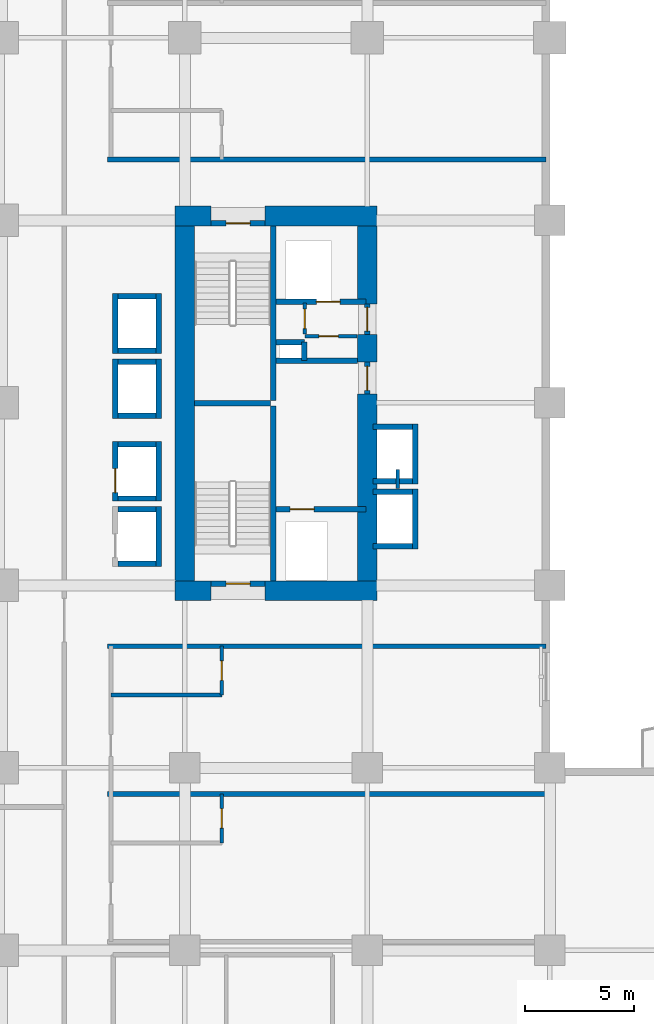
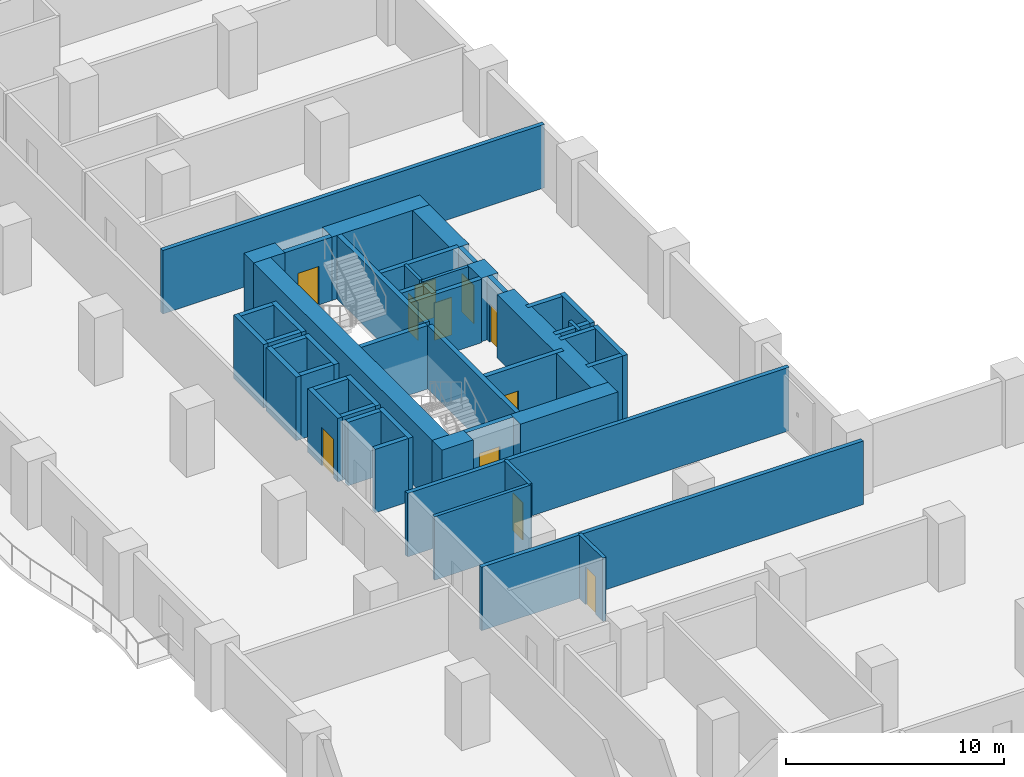
# One storey, part 9 of 20: 50 walls, 11 doors, 11 openings.
"""IFC4 building model written with IfcOpenShell, lengths in metres."""

from ifc_helpers import new_model, si_unit, direction, frame, frame_2d, origin, place, context, subcontext, project, spatial, rectangle, extrude, material, layer, layer_set, type_object, element, fill, save


model = new_model("IFC4")

# Units and contexts
model_context = context("Model", 3, precision=1e-05, world=origin(), true_north=direction((0.0, 1.0)))
body_context = subcontext(model_context, "Body", "Model", "MODEL_VIEW")
ifc_project = project(units=[si_unit("LENGTHUNIT", "METRE"), si_unit("AREAUNIT", "SQUARE_METRE"), si_unit("VOLUMEUNIT", "CUBIC_METRE"), si_unit("PLANEANGLEUNIT", "RADIAN"), si_unit("MASSUNIT", "GRAM", prefix="KILO")], contexts=[model_context])

# Site, building, storey
site_placement = place(None, origin())
site = spatial("IfcSite", under=ifc_project, at=site_placement, CompositionType="ELEMENT")
building_placement = place(site_placement, origin())
building = spatial("IfcBuilding", under=site, at=building_placement, Name="Koriwani Terraces Tower", CompositionType="ELEMENT")
storey_placement = place(building_placement, frame((0.0, 0.0, 58.60009765625)))
storey = spatial("IfcBuildingStorey", under=building, at=storey_placement, Name="L13", CompositionType="ELEMENT", Elevation=58.60009765625)

# Walls
ifc_material_1 = material(Name="Concrete C60/75", Category="concrete")
ifc_layer_1 = layer(ifc_material_1, 0.89990234375, Name="Concrete C60/75")
ifc_layer_set_1 = layer_set([ifc_layer_1], Name="Concrete C60/75")
wall_type_1 = type_object("IfcWallType", Name="WALL_CORE_RC_900", PredefinedType="SHEAR", material=ifc_layer_set_1)
wall_1_placement = place(storey_placement, frame((16.35009765625, 41.75, 0.0), z_axis=(0.0, 0.0, 1.0), x_axis=(1.0, 0.0, 0.0)))
element("IfcWall", 1, at=wall_1_placement, inside=storey, type_object=wall_type_1, Name="L13 West Split Core Shear Wall S1", PredefinedType="SHEAR", context=body_context, shape_type="SweptSolid", body=[
    extrude(rectangle(XDim=1.64990234375, YDim=0.89990234375, at=frame_2d((0.824951171875, 0.0))), origin(), (0.0, 0.0, 1.0), 3.5498046875),
])
wall_2_placement = place(storey_placement, frame((20.5, 41.75, 0.0), z_axis=(0.0, 0.0, 1.0), x_axis=(1.0, 0.0, 0.0)))
element("IfcWall", 2, at=wall_2_placement, inside=storey, type_object=wall_type_1, Name="L13 West Split Core Shear Wall S2", PredefinedType="SHEAR", context=body_context, shape_type="SweptSolid", body=[
    extrude(rectangle(XDim=5.14990234375, YDim=0.89990234375, at=frame_2d((2.574951171875, 0.0))), origin(), (0.0, 0.0, 1.0), 3.5498046875),
])
wall_3_placement = place(storey_placement, frame((16.35009765625, 59.0, 0.0), z_axis=(0.0, 0.0, 1.0), x_axis=(1.0, 0.0, 0.0)))
element("IfcWall", 3, at=wall_3_placement, inside=storey, type_object=wall_type_1, Name="L13 West Split Core Shear Wall N1", PredefinedType="SHEAR", context=body_context, shape_type="SweptSolid", body=[
    extrude(rectangle(XDim=1.64990234375, YDim=0.89990234375, at=frame_2d((0.824951171875, 0.0))), origin(), (0.0, 0.0, 1.0), 3.5498046875),
])
wall_4_placement = place(storey_placement, frame((20.5, 59.0, 0.0), z_axis=(0.0, 0.0, 1.0), x_axis=(1.0, 0.0, 0.0)))
element("IfcWall", 4, at=wall_4_placement, inside=storey, type_object=wall_type_1, Name="L13 West Split Core Shear Wall N2", PredefinedType="SHEAR", context=body_context, shape_type="SweptSolid", body=[
    extrude(rectangle(XDim=5.14990234375, YDim=0.89990234375, at=frame_2d((2.574951171875, 0.0))), origin(), (0.0, 0.0, 1.0), 3.5498046875),
])
wall_5_placement = place(storey_placement, frame((16.800048828125, 42.199951171875, 0.0), z_axis=(0.0, 0.0, 1.0), x_axis=(0.0, 1.0, 0.0)))
element("IfcWall", 5, at=wall_5_placement, inside=storey, type_object=wall_type_1, Name="L13 West Split Core Shear Wall W1", PredefinedType="SHEAR", context=body_context, shape_type="SweptSolid", body=[
    extrude(rectangle(XDim=16.35009765625, YDim=0.89990234375, at=frame_2d((8.175048828125, 0.0))), origin(), (0.0, 0.0, 1.0), 3.5498046875),
])
wall_6_placement = place(storey_placement, frame((25.199951171875, 42.199951171875, 0.0), z_axis=(0.0, 0.0, 1.0), x_axis=(0.0, 1.0, 0.0)))
element("IfcWall", 6, at=wall_6_placement, inside=storey, type_object=wall_type_1, Name="L13 West Split Core Shear Wall E1", PredefinedType="SHEAR", context=body_context, shape_type="SweptSolid", body=[
    extrude(rectangle(XDim=8.60009765625, YDim=0.89990234375, at=frame_2d((4.300048828125, 0.0))), origin(), (0.0, 0.0, 1.0), 3.5498046875),
])
wall_7_placement = place(storey_placement, frame((25.199951171875, 52.280029296875, 0.0), z_axis=(0.0, 0.0, 1.0), x_axis=(0.0, 1.0, 0.0)))
element("IfcWall", 7, at=wall_7_placement, inside=storey, type_object=wall_type_1, Name="L13 West Split Core Shear Wall E2", PredefinedType="SHEAR", context=body_context, shape_type="SweptSolid", body=[
    extrude(rectangle(XDim=1.27001953125, YDim=0.89990234375, at=frame_2d((0.635009765625, 0.0))), origin(), (0.0, 0.0, 1.0), 3.5498046875),
])
wall_8_placement = place(storey_placement, frame((25.199951171875, 54.949951171875, 0.0), z_axis=(0.0, 0.0, 1.0), x_axis=(0.0, 1.0, 0.0)))
element("IfcWall", 8, at=wall_8_placement, inside=storey, type_object=wall_type_1, Name="L13 West Split Core Shear Wall E3", PredefinedType="SHEAR", context=body_context, shape_type="SweptSolid", body=[
    extrude(rectangle(XDim=3.60009765625, YDim=0.89990234375, at=frame_2d((1.800048828125, 0.0))), origin(), (0.0, 0.0, 1.0), 3.5498046875),
])
ifc_material_2 = material(Name="Autoclaved Cellular Concrete Blockwork", Category="masonry")
ifc_layer_2 = layer(ifc_material_2, 0.219970703125, Name="Autoclaved Cellular Concrete Blockwork")
ifc_layer_set_2 = layer_set([ifc_layer_2], Name="Autoclaved Cellular Concrete Blockwork")
wall_type_2 = type_object("IfcWallType", Name="WALL_DEMISING_220", PredefinedType="PARTITIONING", material=ifc_layer_set_2)
for number, where, z_axis, x_axis, name in (
    (9, (13.25, 32.39990234375, 0.0), (0.0, 0.0, 1.0), (1.0, 0.0, 0.0), "L13 Interior Wall WDEM-L13-NWI-1"),
    (10, (13.25, 39.199951171875, 0.0), (0.0, 0.0, 1.0), (1.0, 0.0, 0.0), "L13 Interior Wall WDEME-L13-NWI"),
    (11, (13.25, 61.60009765625, 0.0), (0.0, 0.0, 1.0), (1.0, 0.0, 0.0), "L13 Interior Wall WDEM-L13-NE-0"),
):
    element("IfcWall", number, at=place(storey_placement, frame(where, z_axis=z_axis, x_axis=x_axis)), inside=storey, type_object=wall_type_2, Name=name, PredefinedType="PARTITIONING", context=body_context, shape_type="SweptSolid", body=[
        extrude(rectangle(XDim=20.179931640625, YDim=0.219970703125, at=frame_2d((10.08984375, 0.0))), origin(), (0.0, 0.0, 1.0), 3.5498046875),
    ])

# Wall, opening, door
ifc_material_3 = material(Name="Fire-Rated Acoustic Gypsum Partition", Category="masonry")
ifc_layer_3 = layer(ifc_material_3, 0.179931640625, Name="Fire-Rated Acoustic Gypsum Partition")
ifc_layer_set_3 = layer_set([ifc_layer_3], Name="Fire-Rated Acoustic Gypsum Partition")
wall_type_3 = type_object("IfcWallType", Name="WALL_PLUMBING_180", PredefinedType="PLUMBINGWALL", material=ifc_layer_set_3)
wall_9_placement = place(storey_placement, frame((18.5, 30.14990234375, 0.0), z_axis=(0.0, 0.0, 1.0), x_axis=(0.0, 1.0, 0.0)))
wall_9 = element("IfcWall", 12, at=wall_9_placement, inside=storey, type_object=wall_type_3, Name="L13 Interior Wall WBTH1-L13-NWI-0", PredefinedType="PLUMBINGWALL", context=body_context, shape_type="SweptSolid", body=[
    extrude(rectangle(XDim=2.25, YDim=0.179931640625, at=frame_2d((1.125, 0.0))), origin(), (0.0, 0.0, 1.0), 3.5498046875),
])
opening_1_placement = place(wall_9_placement, frame((0.675048828125, 0.0, 0.0)))
opening_1 = element("IfcOpeningElement", 13, at=opening_1_placement, cuts=wall_9, Name="Opening D-07", PredefinedType="OPENING", context=body_context, shape_type="SweptSolid", body=[
    extrude(rectangle(XDim=0.89990234375, YDim=2.10009765625, at=frame_2d((0.449951171875, 1.050048828125))), frame((0.0, 0.10009765625, 0.0), z_axis=(0.0, -1.0, 0.0), x_axis=(1.0, 0.0, 0.0)), (0.0, 0.0, 1.0), 0.199951171875),
])
ifc_material_4 = material(Name="Architectural Oak Fire Door", Category="wood")
door_type_1 = type_object("IfcDoorType", Name="DOOR_BATH_INT_900X2100", OperationType="NOTDEFINED", PredefinedType="DOOR", material=ifc_material_4)
door_1_placement = place(opening_1_placement, origin())
door_1 = element("IfcDoor", 14, at=door_1_placement, inside=storey, type_object=door_type_1, Name="En-Suite Bathroom 13NWI1 Door", OperationType="SINGLE_SWING_RIGHT", OverallHeight=2.10009765625, OverallWidth=0.89990234375, PredefinedType="DOOR", context=body_context, shape_type="SweptSolid", body=[
    extrude(rectangle(XDim=0.89990234375, YDim=2.10009765625, at=frame_2d((0.449951171875, 1.050048828125))), frame((0.0, 0.02490234375, 0.0), z_axis=(0.0, -1.0, 0.0), x_axis=(1.0, 0.0, 0.0)), (0.0, 0.0, 1.0), 0.050048828125),
])
fill(opening_1, door_1)

wall_10_placement = place(storey_placement, frame((18.5, 36.949951171875, 0.0), z_axis=(0.0, 0.0, 1.0), x_axis=(0.0, 1.0, 0.0)))
wall_10 = element("IfcWall", 15, at=wall_10_placement, inside=storey, type_object=wall_type_3, Name="L13 Interior Wall WBTH1-L13-NWI-1", PredefinedType="PLUMBINGWALL", context=body_context, shape_type="SweptSolid", body=[
    extrude(rectangle(XDim=2.25, YDim=0.179931640625, at=frame_2d((1.125, 0.0))), origin(), (0.0, 0.0, 1.0), 3.5498046875),
])
opening_2_placement = place(wall_10_placement, frame((0.675048828125, 0.0, 0.0)))
opening_2 = element("IfcOpeningElement", 16, at=opening_2_placement, cuts=wall_10, Name="Opening D-07", PredefinedType="OPENING", context=body_context, shape_type="SweptSolid", body=[
    extrude(rectangle(XDim=0.89990234375, YDim=2.10009765625, at=frame_2d((0.449951171875, 1.050048828125))), frame((0.0, 0.10009765625, 0.0), z_axis=(0.0, -1.0, 0.0), x_axis=(1.0, 0.0, 0.0)), (0.0, 0.0, 1.0), 0.199951171875),
])
door_2_placement = place(opening_2_placement, origin())
door_2 = element("IfcDoor", 17, at=door_2_placement, inside=storey, type_object=door_type_1, Name="En-Suite Bathroom 13NWI2 Door", OperationType="SINGLE_SWING_RIGHT", OverallHeight=2.10009765625, OverallWidth=0.89990234375, PredefinedType="DOOR", context=body_context, shape_type="SweptSolid", body=[
    extrude(rectangle(XDim=0.89990234375, YDim=2.10009765625, at=frame_2d((0.449951171875, 1.050048828125))), frame((0.0, 0.02490234375, 0.0), z_axis=(0.0, -1.0, 0.0), x_axis=(1.0, 0.0, 0.0)), (0.0, 0.0, 1.0), 0.050048828125),
])
fill(opening_2, door_2)

# Walls
wall_11_placement = place(storey_placement, frame((13.39990234375, 36.949951171875, 0.0), z_axis=(0.0, 0.0, 1.0), x_axis=(1.0, 0.0, 0.0)))
element("IfcWall", 18, at=wall_11_placement, inside=storey, type_object=wall_type_3, Name="L13 Interior Wall WBTH2-L13-NWI-1", PredefinedType="PLUMBINGWALL", context=body_context, shape_type="SweptSolid", body=[
    extrude(rectangle(XDim=5.10009765625, YDim=0.179931640625, at=frame_2d((2.550048828125, 0.0))), origin(), (0.0, 0.0, 1.0), 3.5498046875),
])
ifc_material_5 = material(Name="Concrete C40/50", Category="concrete")
ifc_layer_4 = layer(ifc_material_5, 0.25, Name="Concrete C40/50")
ifc_layer_set_4 = layer_set([ifc_layer_4], Name="Concrete C40/50")
wall_type_4 = type_object("IfcWallType", Name="WALL_SHAFT_RATED_250", PredefinedType="SOLIDWALL", material=ifc_layer_set_4)
for number, where, z_axis, x_axis, name in (
    (19, (20.875, 42.199951171875, 0.0), (0.0, 0.0, 1.0), (0.0, 1.0, 0.0), "L13 West Split Core Web Wall MID1"),
    (20, (20.875, 50.5, 0.0), (0.0, 0.0, 1.0), (0.0, 1.0, 0.0), "L13 West Split Core Web Wall MID2"),
):
    element("IfcWall", number, at=place(storey_placement, frame(where, z_axis=z_axis, x_axis=x_axis)), inside=storey, type_object=wall_type_4, Name=name, PredefinedType="SOLIDWALL", context=body_context, shape_type="SweptSolid", body=[
        extrude(rectangle(XDim=8.050048828125, YDim=0.25, at=frame_2d((4.02490234375, 0.0))), origin(), (0.0, 0.0, 1.0), 3.5498046875),
    ])
wall_12_placement = place(storey_placement, frame((17.25, 50.375, 0.0), z_axis=(0.0, 0.0, 1.0), x_axis=(1.0, 0.0, 0.0)))
element("IfcWall", 21, at=wall_12_placement, inside=storey, type_object=wall_type_4, Name="L13 West Split Core Stair Dividing Wall", PredefinedType="SOLIDWALL", context=body_context, shape_type="SweptSolid", body=[
    extrude(rectangle(XDim=3.5, YDim=0.25, at=frame_2d((1.75, 0.0))), origin(), (0.0, 0.0, 1.0), 3.5498046875),
])

# Wall, opening, door
wall_13_placement = place(storey_placement, frame((18.0, 42.074951171875, 0.0), z_axis=(0.0, 0.0, 1.0), x_axis=(1.0, 0.0, 0.0)))
wall_13 = element("IfcWall", 22, at=wall_13_placement, inside=storey, type_object=wall_type_4, Name="L13 Interior Wall WIN-CW-L13-STS", PredefinedType="SOLIDWALL", context=body_context, shape_type="SweptSolid", body=[
    extrude(rectangle(XDim=2.5, YDim=0.25, at=frame_2d((1.25, 0.0))), origin(), (0.0, 0.0, 1.0), 3.5498046875),
])
opening_3_placement = place(wall_13_placement, frame((0.699951171875, 0.0, 0.0)))
opening_3 = element("IfcOpeningElement", 23, at=opening_3_placement, cuts=wall_13, Name="Opening D-03", PredefinedType="OPENING", context=body_context, shape_type="SweptSolid", body=[
    extrude(rectangle(XDim=1.10009765625, YDim=2.14990234375, at=frame_2d((0.550048828125, 1.074951171875))), frame((0.0, 0.135009765625, 0.0), z_axis=(0.0, -1.0, 0.0), x_axis=(1.0, 0.0, 0.0)), (0.0, 0.0, 1.0), 0.27001953125),
])
ifc_material_6 = material(Name="Steel ASTM A572 Grade 50", Category="steel")
door_type_2 = type_object("IfcDoorType", Name="DOOR_STAIR_FIRE_1100X2150", OperationType="NOTDEFINED", PredefinedType="DOOR", material=ifc_material_6)
door_3_placement = place(opening_3_placement, origin())
door_3 = element("IfcDoor", 24, at=door_3_placement, inside=storey, type_object=door_type_2, Name="L13 Exit Stair ST-W1 Door", OperationType="SINGLE_SWING_LEFT", OverallHeight=2.14990234375, OverallWidth=1.10009765625, PredefinedType="DOOR", context=body_context, shape_type="SweptSolid", body=[
    extrude(rectangle(XDim=1.10009765625, YDim=2.14990234375, at=frame_2d((0.550048828125, 1.074951171875))), frame((0.0, 0.02490234375, 0.0), z_axis=(0.0, -1.0, 0.0), x_axis=(1.0, 0.0, 0.0)), (0.0, 0.0, 1.0), 0.050048828125),
])
fill(opening_3, door_3)

wall_14_placement = place(storey_placement, frame((18.0, 58.675048828125, 0.0), z_axis=(0.0, 0.0, 1.0), x_axis=(1.0, 0.0, 0.0)))
wall_14 = element("IfcWall", 25, at=wall_14_placement, inside=storey, type_object=wall_type_4, Name="L13 Interior Wall WIN-CW-L13-STN", PredefinedType="SOLIDWALL", context=body_context, shape_type="SweptSolid", body=[
    extrude(rectangle(XDim=2.5, YDim=0.25, at=frame_2d((1.25, 0.0))), origin(), (0.0, 0.0, 1.0), 3.5498046875),
])
opening_4_placement = place(wall_14_placement, frame((0.699951171875, 0.0, 0.0)))
opening_4 = element("IfcOpeningElement", 26, at=opening_4_placement, cuts=wall_14, Name="Opening D-03", PredefinedType="OPENING", context=body_context, shape_type="SweptSolid", body=[
    extrude(rectangle(XDim=1.10009765625, YDim=2.14990234375, at=frame_2d((0.550048828125, 1.074951171875))), frame((0.0, 0.135009765625, 0.0), z_axis=(0.0, -1.0, 0.0), x_axis=(1.0, 0.0, 0.0)), (0.0, 0.0, 1.0), 0.27001953125),
])
door_4_placement = place(opening_4_placement, origin())
door_4 = element("IfcDoor", 27, at=door_4_placement, inside=storey, type_object=door_type_2, Name="L13 Exit Stair ST-W2 Door", OperationType="SINGLE_SWING_RIGHT", OverallHeight=2.14990234375, OverallWidth=1.10009765625, PredefinedType="DOOR", context=body_context, shape_type="SweptSolid", body=[
    extrude(rectangle(XDim=1.10009765625, YDim=2.14990234375, at=frame_2d((0.550048828125, 1.074951171875))), frame((0.0, 0.02490234375, 0.0), z_axis=(0.0, -1.0, 0.0), x_axis=(1.0, 0.0, 0.0)), (0.0, 0.0, 1.0), 0.050048828125),
])
fill(opening_4, door_4)

wall_15_placement = place(storey_placement, frame((21.0, 45.5, 0.0), z_axis=(0.0, 0.0, 1.0), x_axis=(1.0, 0.0, 0.0)))
wall_15 = element("IfcWall", 28, at=wall_15_placement, inside=storey, type_object=wall_type_4, Name="L13 Interior Wall WIN-CW-L13-FE", PredefinedType="SOLIDWALL", context=body_context, shape_type="SweptSolid", body=[
    extrude(rectangle(XDim=4.14990234375, YDim=0.25, at=frame_2d((2.074951171875, 0.0))), origin(), (0.0, 0.0, 1.0), 3.5498046875),
])
opening_5_placement = place(wall_15_placement, frame((0.64990234375, 0.0, 0.0)))
opening_5 = element("IfcOpeningElement", 29, at=opening_5_placement, cuts=wall_15, Name="Opening LD-01", PredefinedType="OPENING", context=body_context, shape_type="SweptSolid", body=[
    extrude(rectangle(XDim=1.10009765625, YDim=2.14990234375, at=frame_2d((0.550048828125, 1.074951171875))), frame((0.0, 0.135009765625, 0.0), z_axis=(0.0, -1.0, 0.0), x_axis=(1.0, 0.0, 0.0)), (0.0, 0.0, 1.0), 0.27001953125),
])
door_type_3 = type_object("IfcDoorType", Name="DOOR_LIFT_LANDING_1100X2200", OperationType="NOTDEFINED", PredefinedType="DOOR", material=ifc_material_6)
door_5_placement = place(opening_5_placement, origin())
door_5 = element("IfcDoor", 30, at=door_5_placement, inside=storey, type_object=door_type_3, Name="L13 Firefighting Lift FE-01 Landing Door", OperationType="SLIDING_TO_LEFT", OverallHeight=2.14990234375, OverallWidth=1.10009765625, PredefinedType="DOOR", context=body_context, shape_type="SweptSolid", body=[
    extrude(rectangle(XDim=1.10009765625, YDim=2.14990234375, at=frame_2d((0.550048828125, 1.074951171875))), frame((0.0, 0.02490234375, 0.0), z_axis=(0.0, -1.0, 0.0), x_axis=(1.0, 0.0, 0.0)), (0.0, 0.0, 1.0), 0.050048828125),
])
fill(opening_5, door_5)

wall_16_placement = place(storey_placement, frame((25.199951171875, 50.800048828125, 0.0), z_axis=(0.0, 0.0, 1.0), x_axis=(0.0, 1.0, 0.0)))
wall_16 = element("IfcWall", 31, at=wall_16_placement, inside=storey, type_object=wall_type_4, Name="L13 Interior Wall WIN-CW-L13-EP", PredefinedType="SOLIDWALL", context=body_context, shape_type="SweptSolid", body=[
    extrude(rectangle(XDim=1.47998046875, YDim=0.25, at=frame_2d((0.739990234375, 0.0))), origin(), (0.0, 0.0, 1.0), 3.5498046875),
])
opening_6_placement = place(wall_16_placement, frame((0.179931640625, 0.0, 0.0)))
opening_6 = element("IfcOpeningElement", 32, at=opening_6_placement, cuts=wall_16, Name="Opening D-03", PredefinedType="OPENING", context=body_context, shape_type="SweptSolid", body=[
    extrude(rectangle(XDim=1.10009765625, YDim=2.14990234375, at=frame_2d((0.550048828125, 1.074951171875))), frame((0.0, 0.135009765625, 0.0), z_axis=(0.0, -1.0, 0.0), x_axis=(1.0, 0.0, 0.0)), (0.0, 0.0, 1.0), 0.27001953125),
])
door_6_placement = place(opening_6_placement, origin())
door_6 = element("IfcDoor", 33, at=door_6_placement, inside=storey, type_object=door_type_2, Name="L13 West Firefighting Lobby Door", OperationType="SINGLE_SWING_LEFT", OverallHeight=2.14990234375, OverallWidth=1.10009765625, PredefinedType="DOOR", context=body_context, shape_type="SweptSolid", body=[
    extrude(rectangle(XDim=1.10009765625, YDim=2.14990234375, at=frame_2d((0.550048828125, 1.074951171875))), frame((0.0, 0.02490234375, 0.0), z_axis=(0.0, -1.0, 0.0), x_axis=(1.0, 0.0, 0.0)), (0.0, 0.0, 1.0), 0.050048828125),
])
fill(opening_6, door_6)

# Wall
wall_17_placement = place(storey_placement, frame((21.0, 52.340087890625, 0.0), z_axis=(0.0, 0.0, 1.0), x_axis=(1.0, 0.0, 0.0)))
element("IfcWall", 34, at=wall_17_placement, inside=storey, type_object=wall_type_4, Name="L13 Interior Wall WIN-CW-L13-FFN", PredefinedType="SOLIDWALL", context=body_context, shape_type="SweptSolid", body=[
    extrude(rectangle(XDim=3.75, YDim=0.25, at=frame_2d((1.875, 0.0))), origin(), (0.0, 0.0, 1.0), 3.5498046875),
])

# Wall, opening, door
wall_18_placement = place(storey_placement, frame((21.0, 55.050048828125, 0.0), z_axis=(0.0, 0.0, 1.0), x_axis=(1.0, 0.0, 0.0)))
wall_18 = element("IfcWall", 35, at=wall_18_placement, inside=storey, type_object=wall_type_4, Name="L13 Interior Wall WIN-CW-L13-SE", PredefinedType="SOLIDWALL", context=body_context, shape_type="SweptSolid", body=[
    extrude(rectangle(XDim=4.14990234375, YDim=0.25, at=frame_2d((2.074951171875, 0.0))), origin(), (0.0, 0.0, 1.0), 3.5498046875),
])
opening_7_placement = place(wall_18_placement, frame((1.85009765625, 0.0, 0.0)))
opening_7 = element("IfcOpeningElement", 36, at=opening_7_placement, cuts=wall_18, Name="Opening LD-01", PredefinedType="OPENING", context=body_context, shape_type="SweptSolid", body=[
    extrude(rectangle(XDim=1.10009765625, YDim=2.14990234375, at=frame_2d((0.550048828125, 1.074951171875))), frame((0.0, 0.135009765625, 0.0), z_axis=(0.0, -1.0, 0.0), x_axis=(1.0, 0.0, 0.0)), (0.0, 0.0, 1.0), 0.27001953125),
])
door_7_placement = place(opening_7_placement, origin())
door_7 = element("IfcDoor", 37, at=door_7_placement, inside=storey, type_object=door_type_3, Name="L13 Goods Lift SE-01 Landing Door", OperationType="SLIDING_TO_LEFT", OverallHeight=2.14990234375, OverallWidth=1.10009765625, PredefinedType="DOOR", context=body_context, shape_type="SweptSolid", body=[
    extrude(rectangle(XDim=1.10009765625, YDim=2.14990234375, at=frame_2d((0.550048828125, 1.074951171875))), frame((0.0, 0.02490234375, 0.0), z_axis=(0.0, -1.0, 0.0), x_axis=(1.0, 0.0, 0.0)), (0.0, 0.0, 1.0), 0.050048828125),
])
fill(opening_7, door_7)

wall_19_placement = place(storey_placement, frame((25.199951171875, 53.550048828125, 0.0), z_axis=(0.0, 0.0, 1.0), x_axis=(0.0, 1.0, 0.0)))
wall_19 = element("IfcWall", 38, at=wall_19_placement, inside=storey, type_object=wall_type_4, Name="L13 Interior Wall WIN-CW-L13-EP2", PredefinedType="SOLIDWALL", context=body_context, shape_type="SweptSolid", body=[
    extrude(rectangle(XDim=1.39990234375, YDim=0.25, at=frame_2d((0.699951171875, 0.0))), origin(), (0.0, 0.0, 1.0), 3.5498046875),
])
opening_8_placement = place(wall_19_placement, frame((0.14990234375, 0.0, 0.0)))
opening_8 = element("IfcOpeningElement", 39, at=opening_8_placement, cuts=wall_19, Name="Opening D-03", PredefinedType="OPENING", context=body_context, shape_type="SweptSolid", body=[
    extrude(rectangle(XDim=1.10009765625, YDim=2.14990234375, at=frame_2d((0.550048828125, 1.074951171875))), frame((0.0, 0.135009765625, 0.0), z_axis=(0.0, -1.0, 0.0), x_axis=(1.0, 0.0, 0.0)), (0.0, 0.0, 1.0), 0.27001953125),
])
door_8_placement = place(opening_8_placement, origin())
door_8 = element("IfcDoor", 40, at=door_8_placement, inside=storey, type_object=door_type_2, Name="L13 West Goods Lift Lobby Door", OperationType="SINGLE_SWING_RIGHT", OverallHeight=2.14990234375, OverallWidth=1.10009765625, PredefinedType="DOOR", context=body_context, shape_type="SweptSolid", body=[
    extrude(rectangle(XDim=1.10009765625, YDim=2.14990234375, at=frame_2d((0.550048828125, 1.074951171875))), frame((0.0, 0.02490234375, 0.0), z_axis=(0.0, -1.0, 0.0), x_axis=(1.0, 0.0, 0.0)), (0.0, 0.0, 1.0), 0.050048828125),
])
fill(opening_8, door_8)

# Walls
wall_20_placement = place(storey_placement, frame((21.0, 53.199951171875, 0.0), z_axis=(0.0, 0.0, 1.0), x_axis=(1.0, 0.0, 0.0)))
element("IfcWall", 41, at=wall_20_placement, inside=storey, type_object=wall_type_4, Name="L13 Interior Wall WIN-CW-L13-RS1", PredefinedType="SOLIDWALL", context=body_context, shape_type="SweptSolid", body=[
    extrude(rectangle(XDim=1.300048828125, YDim=0.25, at=frame_2d((0.64990234375, 0.0))), origin(), (0.0, 0.0, 1.0), 3.5498046875),
])
wall_21_placement = place(storey_placement, frame((22.300048828125, 52.360107421875, 0.0), z_axis=(0.0, 0.0, 1.0), x_axis=(0.0, 1.0, 0.0)))
element("IfcWall", 42, at=wall_21_placement, inside=storey, type_object=wall_type_4, Name="L13 Interior Wall WIN-CW-L13-RS2", PredefinedType="SOLIDWALL", context=body_context, shape_type="SweptSolid", body=[
    extrude(rectangle(XDim=0.83984375, YDim=0.25, at=frame_2d((0.419921875, 0.0))), origin(), (0.0, 0.0, 1.0), 3.5498046875),
])
wall_22_placement = place(storey_placement, frame((15.60009765625, 42.875, 0.0), z_axis=(0.0, 0.0, 1.0), x_axis=(0.0, 1.0, 0.0)))
element("IfcWall", 43, at=wall_22_placement, inside=storey, type_object=wall_type_4, Name="L13 Interior Wall WIN-LF-PE-L1-L13-B", PredefinedType="SOLIDWALL", context=body_context, shape_type="SweptSolid", body=[
    extrude(rectangle(XDim=2.75, YDim=0.25, at=frame_2d((1.375, 0.0))), origin(), (0.0, 0.0, 1.0), 3.5498046875),
])
for number, where, z_axis, x_axis, name in (
    (44, (13.72509765625, 43.0, 0.0), (0.0, 0.0, 1.0), (1.0, 0.0, 0.0), "L13 Interior Wall WIN-LF-PE-L1-L13-S"),
    (45, (13.72509765625, 45.5, 0.0), (0.0, 0.0, 1.0), (1.0, 0.0, 0.0), "L13 Interior Wall WIN-LF-PE-L1-L13-N"),
):
    element("IfcWall", number, at=place(storey_placement, frame(where, z_axis=z_axis, x_axis=x_axis)), inside=storey, type_object=wall_type_4, Name=name, PredefinedType="SOLIDWALL", context=body_context, shape_type="SweptSolid", body=[
        extrude(rectangle(XDim=1.75, YDim=0.25, at=frame_2d((0.875, 0.0))), origin(), (0.0, 0.0, 1.0), 3.5498046875),
    ])

# Wall, opening, door
wall_23_placement = place(storey_placement, frame((13.60009765625, 45.875, 0.0), z_axis=(0.0, 0.0, 1.0), x_axis=(0.0, 1.0, 0.0)))
wall_23 = element("IfcWall", 46, at=wall_23_placement, inside=storey, type_object=wall_type_4, Name="L13 Interior Wall WIN-LF-PE-L2-L13-F", PredefinedType="SOLIDWALL", context=body_context, shape_type="SweptSolid", body=[
    extrude(rectangle(XDim=2.75, YDim=0.25, at=frame_2d((1.375, 0.0))), origin(), (0.0, 0.0, 1.0), 3.5498046875),
])
opening_9_placement = place(wall_23_placement, frame((0.39990234375, 0.0, 0.0)))
opening_9 = element("IfcOpeningElement", 47, at=opening_9_placement, cuts=wall_23, Name="Opening LD-01", PredefinedType="OPENING", context=body_context, shape_type="SweptSolid", body=[
    extrude(rectangle(XDim=1.10009765625, YDim=2.14990234375, at=frame_2d((0.550048828125, 1.074951171875))), frame((0.0, 0.135009765625, 0.0), z_axis=(0.0, -1.0, 0.0), x_axis=(1.0, 0.0, 0.0)), (0.0, 0.0, 1.0), 0.27001953125),
])
door_9_placement = place(opening_9_placement, origin())
door_9 = element("IfcDoor", 48, at=door_9_placement, inside=storey, type_object=door_type_3, Name="L13 Passenger Lift PE-L2 Landing Door", OperationType="SLIDING_TO_LEFT", OverallHeight=2.14990234375, OverallWidth=1.10009765625, PredefinedType="DOOR", context=body_context, shape_type="SweptSolid", body=[
    extrude(rectangle(XDim=1.10009765625, YDim=2.14990234375, at=frame_2d((0.550048828125, 1.074951171875))), frame((0.0, 0.02490234375, 0.0), z_axis=(0.0, -1.0, 0.0), x_axis=(1.0, 0.0, 0.0)), (0.0, 0.0, 1.0), 0.050048828125),
])
fill(opening_9, door_9)

# Walls
wall_24_placement = place(storey_placement, frame((15.60009765625, 45.875, 0.0), z_axis=(0.0, 0.0, 1.0), x_axis=(0.0, 1.0, 0.0)))
element("IfcWall", 49, at=wall_24_placement, inside=storey, type_object=wall_type_4, Name="L13 Interior Wall WIN-LF-PE-L2-L13-B", PredefinedType="SOLIDWALL", context=body_context, shape_type="SweptSolid", body=[
    extrude(rectangle(XDim=2.75, YDim=0.25, at=frame_2d((1.375, 0.0))), origin(), (0.0, 0.0, 1.0), 3.5498046875),
])
for number, where, z_axis, x_axis, name in (
    (50, (13.72509765625, 46.0, 0.0), (0.0, 0.0, 1.0), (1.0, 0.0, 0.0), "L13 Interior Wall WIN-LF-PE-L2-L13-S"),
    (51, (13.72509765625, 48.5, 0.0), (0.0, 0.0, 1.0), (1.0, 0.0, 0.0), "L13 Interior Wall WIN-LF-PE-L2-L13-N"),
):
    element("IfcWall", number, at=place(storey_placement, frame(where, z_axis=z_axis, x_axis=x_axis)), inside=storey, type_object=wall_type_4, Name=name, PredefinedType="SOLIDWALL", context=body_context, shape_type="SweptSolid", body=[
        extrude(rectangle(XDim=1.75, YDim=0.25, at=frame_2d((0.875, 0.0))), origin(), (0.0, 0.0, 1.0), 3.5498046875),
    ])
for number, where, z_axis, x_axis, name in (
    (52, (13.60009765625, 49.675048828125, 0.0), (0.0, 0.0, 1.0), (0.0, 1.0, 0.0), "L13 Interior Wall WIN-LF-PE-M1-L13-F"),
    (53, (15.60009765625, 49.675048828125, 0.0), (0.0, 0.0, 1.0), (0.0, 1.0, 0.0), "L13 Interior Wall WIN-LF-PE-M1-L13-B"),
):
    element("IfcWall", number, at=place(storey_placement, frame(where, z_axis=z_axis, x_axis=x_axis)), inside=storey, type_object=wall_type_4, Name=name, PredefinedType="SOLIDWALL", context=body_context, shape_type="SweptSolid", body=[
        extrude(rectangle(XDim=2.75, YDim=0.25, at=frame_2d((1.375, 0.0))), origin(), (0.0, 0.0, 1.0), 3.5498046875),
    ])
for number, where, z_axis, x_axis, name in (
    (54, (13.72509765625, 49.800048828125, 0.0), (0.0, 0.0, 1.0), (1.0, 0.0, 0.0), "L13 Interior Wall WIN-LF-PE-M1-L13-S"),
    (55, (13.72509765625, 52.300048828125, 0.0), (0.0, 0.0, 1.0), (1.0, 0.0, 0.0), "L13 Interior Wall WIN-LF-PE-M1-L13-N"),
):
    element("IfcWall", number, at=place(storey_placement, frame(where, z_axis=z_axis, x_axis=x_axis)), inside=storey, type_object=wall_type_4, Name=name, PredefinedType="SOLIDWALL", context=body_context, shape_type="SweptSolid", body=[
        extrude(rectangle(XDim=1.75, YDim=0.25, at=frame_2d((0.875, 0.0))), origin(), (0.0, 0.0, 1.0), 3.5498046875),
    ])
for number, where, z_axis, x_axis, name in (
    (56, (13.60009765625, 52.675048828125, 0.0), (0.0, 0.0, 1.0), (0.0, 1.0, 0.0), "L13 Interior Wall WIN-LF-PE-M2-L13-F"),
    (57, (15.60009765625, 52.675048828125, 0.0), (0.0, 0.0, 1.0), (0.0, 1.0, 0.0), "L13 Interior Wall WIN-LF-PE-M2-L13-B"),
):
    element("IfcWall", number, at=place(storey_placement, frame(where, z_axis=z_axis, x_axis=x_axis)), inside=storey, type_object=wall_type_4, Name=name, PredefinedType="SOLIDWALL", context=body_context, shape_type="SweptSolid", body=[
        extrude(rectangle(XDim=2.75, YDim=0.25, at=frame_2d((1.375, 0.0))), origin(), (0.0, 0.0, 1.0), 3.5498046875),
    ])
for number, where, z_axis, x_axis, name in (
    (58, (13.72509765625, 52.800048828125, 0.0), (0.0, 0.0, 1.0), (1.0, 0.0, 0.0), "L13 Interior Wall WIN-LF-PE-M2-L13-S"),
    (59, (13.72509765625, 55.300048828125, 0.0), (0.0, 0.0, 1.0), (1.0, 0.0, 0.0), "L13 Interior Wall WIN-LF-PE-M2-L13-N"),
):
    element("IfcWall", number, at=place(storey_placement, frame(where, z_axis=z_axis, x_axis=x_axis)), inside=storey, type_object=wall_type_4, Name=name, PredefinedType="SOLIDWALL", context=body_context, shape_type="SweptSolid", body=[
        extrude(rectangle(XDim=1.75, YDim=0.25, at=frame_2d((0.875, 0.0))), origin(), (0.0, 0.0, 1.0), 3.5498046875),
    ])
wall_25_placement = place(storey_placement, frame((27.39990234375, 43.675048828125, 0.0), z_axis=(0.0, 0.0, 1.0), x_axis=(0.0, 1.0, 0.0)))
element("IfcWall", 60, at=wall_25_placement, inside=storey, type_object=wall_type_4, Name="L13 Interior Wall WIN-LF-PE-H1-L13-F", PredefinedType="SOLIDWALL", context=body_context, shape_type="SweptSolid", body=[
    extrude(rectangle(XDim=2.75, YDim=0.25, at=frame_2d((1.375, 0.0))), origin(), (0.0, 0.0, 1.0), 3.5498046875),
])
for number, where, z_axis, x_axis, name in (
    (61, (25.449951171875, 43.800048828125, 0.0), (0.0, 0.0, 1.0), (1.0, 0.0, 0.0), "L13 Interior Wall WIN-LF-PE-H1-L13-S"),
    (62, (25.449951171875, 46.300048828125, 0.0), (0.0, 0.0, 1.0), (1.0, 0.0, 0.0), "L13 Interior Wall WIN-LF-PE-H1-L13-N"),
):
    element("IfcWall", number, at=place(storey_placement, frame(where, z_axis=z_axis, x_axis=x_axis)), inside=storey, type_object=wall_type_4, Name=name, PredefinedType="SOLIDWALL", context=body_context, shape_type="SweptSolid", body=[
        extrude(rectangle(XDim=1.824951171875, YDim=0.25, at=frame_2d((0.91259765625, 0.0))), origin(), (0.0, 0.0, 1.0), 3.5498046875),
    ])
wall_26_placement = place(storey_placement, frame((27.39990234375, 46.675048828125, 0.0), z_axis=(0.0, 0.0, 1.0), x_axis=(0.0, 1.0, 0.0)))
element("IfcWall", 63, at=wall_26_placement, inside=storey, type_object=wall_type_4, Name="L13 Interior Wall WIN-LF-PE-H2-L13-F", PredefinedType="SOLIDWALL", context=body_context, shape_type="SweptSolid", body=[
    extrude(rectangle(XDim=2.75, YDim=0.25, at=frame_2d((1.375, 0.0))), origin(), (0.0, 0.0, 1.0), 3.5498046875),
])
for number, where, z_axis, x_axis, name in (
    (64, (25.449951171875, 46.800048828125, 0.0), (0.0, 0.0, 1.0), (1.0, 0.0, 0.0), "L13 Interior Wall WIN-LF-PE-H2-L13-S"),
    (65, (25.449951171875, 49.300048828125, 0.0), (0.0, 0.0, 1.0), (1.0, 0.0, 0.0), "L13 Interior Wall WIN-LF-PE-H2-L13-N"),
):
    element("IfcWall", number, at=place(storey_placement, frame(where, z_axis=z_axis, x_axis=x_axis)), inside=storey, type_object=wall_type_4, Name=name, PredefinedType="SOLIDWALL", context=body_context, shape_type="SweptSolid", body=[
        extrude(rectangle(XDim=1.824951171875, YDim=0.25, at=frame_2d((0.91259765625, 0.0))), origin(), (0.0, 0.0, 1.0), 3.5498046875),
    ])

# Wall, opening, door
ifc_layer_5 = layer(ifc_material_3, 0.159912109375, Name="Fire-Rated Acoustic Gypsum Partition")
ifc_layer_set_5 = layer_set([ifc_layer_5], Name="Fire-Rated Acoustic Gypsum Partition")
wall_type_5 = type_object("IfcWallType", Name="WALL_SUITE_160", PredefinedType="PARTITIONING", material=ifc_layer_set_5)
wall_27_placement = place(storey_placement, frame((22.320068359375, 53.56005859375, 0.0), z_axis=(0.0, 0.0, 1.0), x_axis=(0.0, 1.0, 0.0)))
wall_27 = element("IfcWall", 66, at=wall_27_placement, inside=storey, type_object=wall_type_5, Name="L13 Interior Wall WIN-CW-L13-SV1A", PredefinedType="PARTITIONING", context=body_context, shape_type="SweptSolid", body=[
    extrude(rectangle(XDim=1.43994140625, YDim=0.159912109375, at=frame_2d((0.719970703125, 0.0))), origin(), (0.0, 0.0, 1.0), 3.5498046875),
])
opening_10_placement = place(wall_27_placement, frame((0.260009765625, 0.0, 0.0)))
opening_10 = element("IfcOpeningElement", 67, at=opening_10_placement, cuts=wall_27, Name="Opening D-07", PredefinedType="OPENING", context=body_context, shape_type="SweptSolid", body=[
    extrude(rectangle(XDim=0.89990234375, YDim=2.10009765625, at=frame_2d((0.449951171875, 1.050048828125))), frame((0.0, 0.08984375, 0.0), z_axis=(0.0, -1.0, 0.0), x_axis=(1.0, 0.0, 0.0)), (0.0, 0.0, 1.0), 0.179931640625),
])
door_10_placement = place(opening_10_placement, origin())
door_10 = element("IfcDoor", 68, at=door_10_placement, inside=storey, type_object=door_type_1, Name="L13 West Telecom Room Door", OperationType="SINGLE_SWING_LEFT", OverallHeight=2.10009765625, OverallWidth=0.89990234375, PredefinedType="DOOR", context=body_context, shape_type="SweptSolid", body=[
    extrude(rectangle(XDim=0.89990234375, YDim=2.10009765625, at=frame_2d((0.449951171875, 1.050048828125))), frame((0.0, 0.02490234375, 0.0), z_axis=(0.0, -1.0, 0.0), x_axis=(1.0, 0.0, 0.0)), (0.0, 0.0, 1.0), 0.050048828125),
])
fill(opening_10, door_10)

wall_28_placement = place(storey_placement, frame((22.320068359375, 53.4599609375, 0.0), z_axis=(0.0, 0.0, 1.0), x_axis=(1.0, 0.0, 0.0)))
wall_28 = element("IfcWall", 69, at=wall_28_placement, inside=storey, type_object=wall_type_5, Name="L13 Interior Wall WIN-CW-L13-SV1B", PredefinedType="PARTITIONING", context=body_context, shape_type="SweptSolid", body=[
    extrude(rectangle(XDim=2.39990234375, YDim=0.159912109375, at=frame_2d((1.199951171875, 0.0))), origin(), (0.0, 0.0, 1.0), 3.5498046875),
])
opening_11_placement = place(wall_28_placement, frame((0.64990234375, 0.0, 0.0)))
opening_11 = element("IfcOpeningElement", 70, at=opening_11_placement, cuts=wall_28, Name="Opening D-07", PredefinedType="OPENING", context=body_context, shape_type="SweptSolid", body=[
    extrude(rectangle(XDim=0.89990234375, YDim=2.10009765625, at=frame_2d((0.449951171875, 1.050048828125))), frame((0.0, 0.08984375, 0.0), z_axis=(0.0, -1.0, 0.0), x_axis=(1.0, 0.0, 0.0)), (0.0, 0.0, 1.0), 0.179931640625),
])
door_11_placement = place(opening_11_placement, origin())
door_11 = element("IfcDoor", 71, at=door_11_placement, inside=storey, type_object=door_type_1, Name="L13 West Cleaners Closet Door", OperationType="SINGLE_SWING_RIGHT", OverallHeight=2.10009765625, OverallWidth=0.89990234375, PredefinedType="DOOR", context=body_context, shape_type="SweptSolid", body=[
    extrude(rectangle(XDim=0.89990234375, YDim=2.10009765625, at=frame_2d((0.449951171875, 1.050048828125))), frame((0.0, 0.02490234375, 0.0), z_axis=(0.0, -1.0, 0.0), x_axis=(1.0, 0.0, 0.0)), (0.0, 0.0, 1.0), 0.050048828125),
])
fill(opening_11, door_11)

# Wall
wall_29_placement = place(storey_placement, frame((26.60009765625, 46.4599609375, 0.0), z_axis=(0.0, 0.0, 1.0), x_axis=(0.0, 1.0, 0.0)))
element("IfcWall", 72, at=wall_29_placement, inside=storey, type_object=wall_type_5, Name="L13 Interior Wall WIN-LF-PEH12-MID-L13", PredefinedType="PARTITIONING", context=body_context, shape_type="SweptSolid", body=[
    extrude(rectangle(XDim=0.880126953125, YDim=0.159912109375, at=frame_2d((0.43994140625, 0.0))), origin(), (0.0, 0.0, 1.0), 3.5498046875),
])

save(model, "model.ifc")
